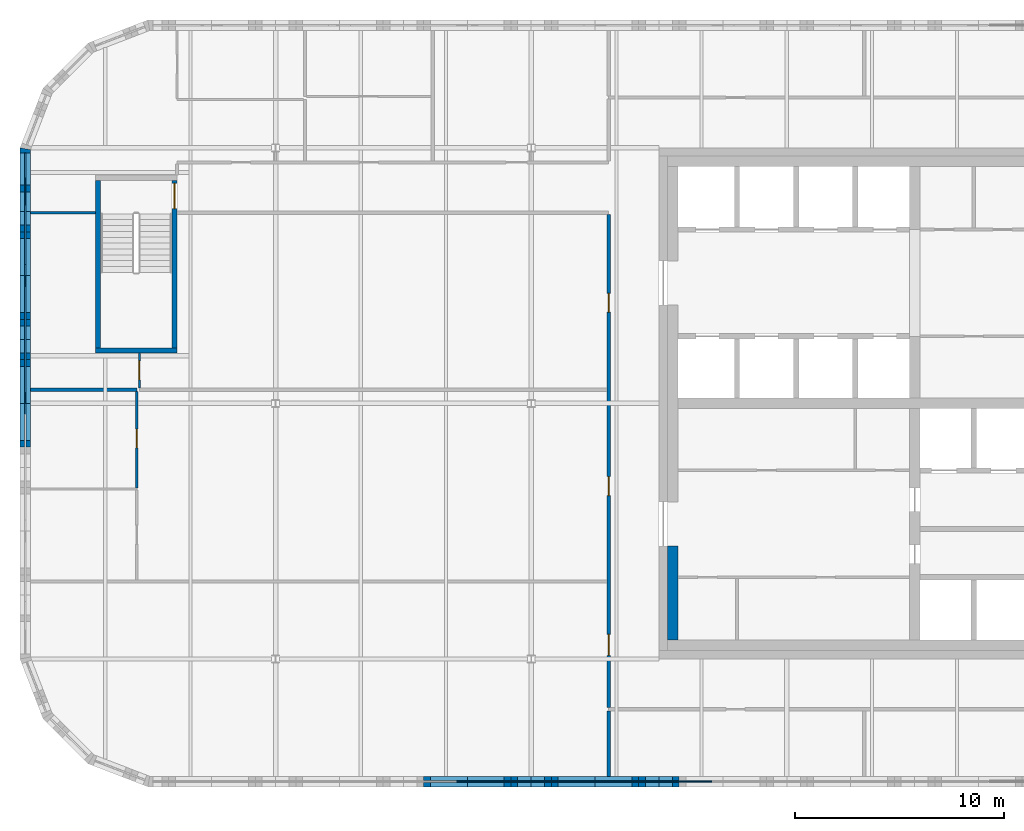
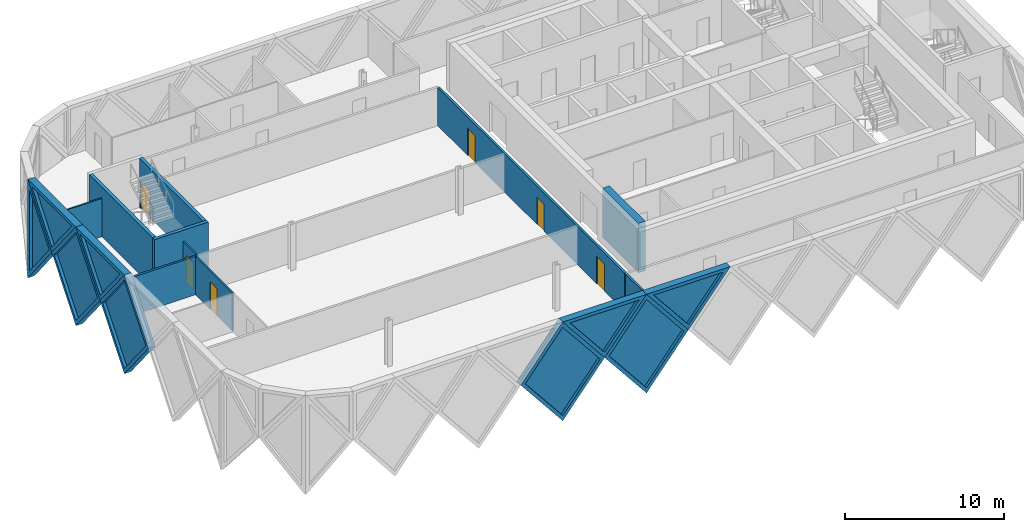
# One storey, part 4 of 12: 19 walls, 9 plates, 6 doors, 15 openings.
"""IFC4 building model written with IfcOpenShell, lengths in metres."""

from ifc_helpers import new_model, si_unit, direction, frame, frame_2d, origin, place, context, subcontext, project, spatial, polyline, rectangle, outline, extrude, faceted_brep, source, transform, mapped, material, layer, layer_set, type_object, element, fill, save


model = new_model("IFC4")

# Units and contexts
model_context = context("Model", 3, precision=1e-05, world=origin(), true_north=direction((0.0, 1.0)))
body_context = subcontext(model_context, "Body", "Model", "MODEL_VIEW")
ifc_project = project(units=[si_unit("LENGTHUNIT", "METRE"), si_unit("AREAUNIT", "SQUARE_METRE"), si_unit("VOLUMEUNIT", "CUBIC_METRE"), si_unit("PLANEANGLEUNIT", "RADIAN"), si_unit("MASSUNIT", "GRAM", prefix="KILO")], contexts=[model_context])

# Site, building, storey
site_placement = place(None, origin())
site = spatial("IfcSite", under=ifc_project, at=site_placement, CompositionType="ELEMENT")
building_placement = place(site_placement, origin())
building = spatial("IfcBuilding", under=site, at=building_placement, Name="Tessera Gate Towers", CompositionType="ELEMENT")
storey_placement = place(building_placement, frame((0.0, 0.0, 255.89990234375)))
storey = spatial("IfcBuildingStorey", under=building, at=storey_placement, Name="L64", CompositionType="ELEMENT", Elevation=255.89990234375)

# Walls
ifc_material_1 = material(Name="Concrete C40/50", Category="concrete")
ifc_layer_1 = layer(ifc_material_1, 0.25)
ifc_layer_set_1 = layer_set([ifc_layer_1], Name="CORE ENCLOSURE WALL 250")
wall_type_1 = type_object("IfcWallType", Name="CORE ENCLOSURE WALL 250", PredefinedType="SOLIDWALL", material=ifc_layer_set_1)
wall_1_placement = place(storey_placement, frame((7.5, 39.125, 0.0), z_axis=(0.0, 0.0, 1.0), x_axis=(-1.0, 0.0, 0.0)))
element("IfcWall", 1, at=wall_1_placement, inside=storey, type_object=wall_type_1, Name="L64 ST3 enclosure wall", PredefinedType="SOLIDWALL", context=body_context, shape_type="SweptSolid", body=[
    extrude(rectangle(XDim=3.89990234375, YDim=0.25, at=frame_2d((1.949951171875, 0.0))), origin(), (0.0, 0.0, 1.0), 3.800048828125),
])
wall_2_placement = place(storey_placement, frame((3.72509765625, 39.25, 0.0), z_axis=(0.0, 0.0, 1.0), x_axis=(0.0, 1.0, 0.0)))
element("IfcWall", 2, at=wall_2_placement, inside=storey, type_object=wall_type_1, Name="L64 ST3 enclosure wall", PredefinedType="SOLIDWALL", context=body_context, shape_type="SweptSolid", body=[
    extrude(rectangle(XDim=8.0, YDim=0.25, at=frame_2d((4.0, 0.0))), origin(), (0.0, 0.0, 1.0), 3.800048828125),
])

# Wall, opening, door
wall_3_placement = place(storey_placement, frame((7.375, 47.25, 0.0), z_axis=(0.0, 0.0, 1.0), x_axis=(0.0, -1.0, 0.0)))
wall_3 = element("IfcWall", 3, at=wall_3_placement, inside=storey, type_object=wall_type_1, Name="L64 ST3 enclosure wall", PredefinedType="SOLIDWALL", context=body_context, shape_type="SweptSolid", body=[
    extrude(rectangle(XDim=8.0, YDim=0.25, at=frame_2d((4.0, 0.0))), origin(), (0.0, 0.0, 1.0), 3.800048828125),
])
shared_shape_1 = source(origin(), body_context, "Body", "SweptSolid", [
    extrude(rectangle(XDim=1.199951171875, YDim=2.10009765625, at=frame_2d((0.60009765625, 1.050048828125))), frame((0.0, 0.135009765625, 0.0), z_axis=(0.0, -1.0, 0.0), x_axis=(1.0, 0.0, 0.0)), (0.0, 0.0, 1.0), 0.27001953125),
])
opening_1_placement = place(wall_3_placement, frame((0.14990234375, 0.0, 0.0)))
opening_1 = element("IfcOpeningElement", 4, at=opening_1_placement, cuts=wall_3, Name="Opening SD-ST3-1", PredefinedType="OPENING", context=body_context, shape_type="MappedRepresentation", body=[
    mapped(shared_shape_1, transform((0.0, 0.0, 0.0), scale=1.0)),
])
ifc_material_2 = material(Name="Hollow steel fire door", Category="steel")
door_type_1 = type_object("IfcDoorType", Name="CORE DOOR SD 1200x2100", OperationType="NOTDEFINED", PredefinedType="DOOR", material=ifc_material_2)
shared_shape_2 = source(origin(), body_context, "Body", "SweptSolid", [
    extrude(rectangle(XDim=1.199951171875, YDim=2.10009765625, at=frame_2d((0.60009765625, 1.050048828125))), frame((0.0, 0.02490234375, 0.0), z_axis=(0.0, -1.0, 0.0), x_axis=(1.0, 0.0, 0.0)), (0.0, 0.0, 1.0), 0.050048828125),
])
door_1_placement = place(opening_1_placement, origin())
door_1 = element("IfcDoor", 5, at=door_1_placement, inside=storey, type_object=door_type_1, Name="Stair door", OperationType="SINGLE_SWING_LEFT", OverallHeight=2.10009765625, OverallWidth=1.199951171875, PredefinedType="DOOR", context=body_context, shape_type="MappedRepresentation", body=[
    mapped(shared_shape_2, transform((0.0, 0.0, 0.0), scale=1.0)),
])
fill(opening_1, door_1)

# Wall
ifc_material_3 = material(Name="Concrete C40/50", Category="concrete")
ifc_layer_2 = layer(ifc_material_3, 0.5)
ifc_layer_set_2 = layer_set([ifc_layer_2], Name="CORE WALL THICKENING 500")
wall_type_2 = type_object("IfcWallType", Name="CORE WALL THICKENING 500", PredefinedType="SOLIDWALL", material=ifc_layer_set_2)
wall_4_placement = place(storey_placement, frame((31.14990234375, 25.300048828125, 0.0), z_axis=(0.0, 0.0, 1.0), x_axis=(0.0, 1.0, 0.0)))
element("IfcWall", 6, at=wall_4_placement, inside=storey, type_object=wall_type_2, Name="Core wall thickening W L64", PredefinedType="SOLIDWALL", context=body_context, shape_type="SweptSolid", body=[
    extrude(rectangle(XDim=4.5, YDim=0.5, at=frame_2d((2.25, 0.0))), origin(), (0.0, 0.0, 1.0), 3.800048828125),
])

# Wall, openings, doors
ifc_material_4 = material(Name="Gypsum board on steel studs, mineral wool", Category="steel")
ifc_layer_3 = layer(ifc_material_4, 0.14990234375)
ifc_layer_set_3 = layer_set([ifc_layer_3], Name="CORRIDOR WALL 150")
wall_type_3 = type_object("IfcWallType", Name="CORRIDOR WALL 150", PredefinedType="PARTITIONING", material=ifc_layer_set_3)
wall_5_placement = place(storey_placement, frame((28.10009765625, 22.075927734375, 0.0), z_axis=(0.0, 0.0, 1.0), x_axis=(0.0, 1.0, 0.0)))
wall_5 = element("IfcWall", 7, at=wall_5_placement, inside=storey, type_object=wall_type_3, Name="T1-L64-PW-005", PredefinedType="PARTITIONING", context=body_context, shape_type="SweptSolid", body=[
    extrude(rectangle(XDim=23.548095703125, YDim=0.14990234375, at=frame_2d((11.77392578125, 0.0))), origin(), (0.0, 0.0, 1.0), 2.947021484375),
])
shared_shape_3 = source(origin(), body_context, "Body", "SweptSolid", [
    extrude(rectangle(XDim=1.0, YDim=2.10009765625, at=frame_2d((0.5, 1.050048828125))), frame((0.0, 0.0849609375, 0.0), z_axis=(0.0, -1.0, 0.0), x_axis=(1.0, 0.0, 0.0)), (0.0, 0.0, 1.0), 0.169921875),
])
opening_2_placement = place(wall_5_placement, frame((2.5, 0.0, 0.0)))
opening_2 = element("IfcOpeningElement", 8, at=opening_2_placement, cuts=wall_5, Name="Opening D2100FD60-A22-01", PredefinedType="OPENING", context=body_context, shape_type="MappedRepresentation", body=[
    mapped(shared_shape_3, transform((0.0, 0.0, 0.0), scale=1.0)),
])
shared_shape_4 = source(origin(), body_context, "Body", "SweptSolid", [
    extrude(rectangle(XDim=0.89990234375, YDim=2.10009765625, at=frame_2d((0.449951171875, 1.050048828125))), frame((0.0, 0.0849609375, 0.0), z_axis=(0.0, -1.0, 0.0), x_axis=(1.0, 0.0, 0.0)), (0.0, 0.0, 1.0), 0.169921875),
])
opening_3_placement = place(wall_5_placement, frame((18.875, 0.0, 0.0)))
opening_3 = element("IfcOpeningElement", 9, at=opening_3_placement, cuts=wall_5, Name="Opening D890FD60-A22-03", PredefinedType="OPENING", context=body_context, shape_type="MappedRepresentation", body=[
    mapped(shared_shape_4, transform((0.0, 0.0, 0.0), scale=1.0)),
])
opening_4_placement = place(wall_5_placement, frame((10.1240234375, 0.0, 0.0)))
opening_4 = element("IfcOpeningElement", 10, at=opening_4_placement, cuts=wall_5, Name="Opening D890FD60-A22-05", PredefinedType="OPENING", context=body_context, shape_type="MappedRepresentation", body=[
    mapped(shared_shape_4, transform((0.0, 0.0, 0.0), scale=1.0)),
])
ifc_material_5 = material(Name="Timber door leaf in steel frame", Category="steel")
door_type_2 = type_object("IfcDoorType", Name="CORRIDOR DOOR 900 FD60", OperationType="NOTDEFINED", PredefinedType="DOOR", material=ifc_material_5)
shared_shape_5 = source(origin(), body_context, "Body", "SweptSolid", [
    extrude(rectangle(XDim=0.89990234375, YDim=2.10009765625, at=frame_2d((0.449951171875, 1.050048828125))), frame((0.0, 0.02490234375, 0.0), z_axis=(0.0, -1.0, 0.0), x_axis=(1.0, 0.0, 0.0)), (0.0, 0.0, 1.0), 0.050048828125),
])
door_2_placement = place(opening_3_placement, origin())
door_2 = element("IfcDoor", 11, at=door_2_placement, inside=storey, type_object=door_type_2, Name="T1-L64-PD-008", OperationType="SINGLE_SWING_LEFT", OverallHeight=2.10009765625, OverallWidth=0.89990234375, PredefinedType="DOOR", context=body_context, shape_type="MappedRepresentation", body=[
    mapped(shared_shape_5, transform((0.0, 0.0, 0.0), scale=1.0)),
])
fill(opening_3, door_2)
door_3_placement = place(opening_4_placement, origin())
door_3 = element("IfcDoor", 12, at=door_3_placement, inside=storey, type_object=door_type_2, Name="T1-L64-PD-011", OperationType="SINGLE_SWING_LEFT", OverallHeight=2.10009765625, OverallWidth=0.89990234375, PredefinedType="DOOR", context=body_context, shape_type="MappedRepresentation", body=[
    mapped(shared_shape_5, transform((0.0, 0.0, 0.0), scale=1.0)),
])
fill(opening_4, door_3)
ifc_material_6 = material(Name="Timber door leaf in steel frame", Category="steel")
door_type_3 = type_object("IfcDoorType", Name="TENANCY ENTRANCE DOOR 1000 FD60", OperationType="NOTDEFINED", PredefinedType="DOOR", material=ifc_material_6)
shared_shape_6 = source(origin(), body_context, "Body", "SweptSolid", [
    extrude(rectangle(XDim=1.0, YDim=2.10009765625, at=frame_2d((0.5, 1.050048828125))), frame((0.0, 0.02490234375, 0.0), z_axis=(0.0, -1.0, 0.0), x_axis=(1.0, 0.0, 0.0)), (0.0, 0.0, 1.0), 0.050048828125),
])
door_4_placement = place(opening_2_placement, origin())
door_4 = element("IfcDoor", 13, at=door_4_placement, inside=storey, type_object=door_type_3, Name="T1-L64-PD-005", OperationType="SINGLE_SWING_LEFT", OverallHeight=2.10009765625, OverallWidth=1.0, PredefinedType="DOOR", context=body_context, shape_type="MappedRepresentation", body=[
    mapped(shared_shape_6, transform((0.0, 0.0, 0.0), scale=1.0)),
])
fill(opening_2, door_4)

# Wall, opening, door
ifc_material_7 = material(Name="Glass", Category="glass")
ifc_layer_4 = layer(ifc_material_7, 0.10009765625)
ifc_layer_set_4 = layer_set([ifc_layer_4], Name="GLAZED PARTITION 100")
wall_type_4 = type_object("IfcWallType", Name="GLAZED PARTITION 100", PredefinedType="PARTITIONING", material=ifc_layer_set_4)
wall_6_placement = place(storey_placement, frame((5.699951171875, 37.325927734375, 0.0), z_axis=(0.0, 0.0, 1.0), x_axis=(0.0, 1.0, 0.0)))
wall_6 = element("IfcWall", 14, at=wall_6_placement, inside=storey, type_object=wall_type_4, Name="T1-L64-PW-013", PredefinedType="PARTITIONING", context=body_context, shape_type="SweptSolid", body=[
    extrude(rectangle(XDim=1.674072265625, YDim=0.10009765625, at=frame_2d((0.8369140625, 0.0))), origin(), (0.0, 0.0, 1.0), 2.947021484375),
])
shared_shape_7 = source(origin(), body_context, "Body", "SweptSolid", [
    extrude(rectangle(XDim=0.89990234375, YDim=2.10009765625, at=frame_2d((0.449951171875, 1.050048828125))), frame((0.0, 0.06005859375, 0.0), z_axis=(0.0, -1.0, 0.0), x_axis=(1.0, 0.0, 0.0)), (0.0, 0.0, 1.0), 0.1201171875),
])
opening_5_placement = place(wall_6_placement, frame((0.39990234375, 0.0, 0.0)))
opening_5 = element("IfcOpeningElement", 15, at=opening_5_placement, cuts=wall_6, Name="Opening D690-A22-01", PredefinedType="OPENING", context=body_context, shape_type="MappedRepresentation", body=[
    mapped(shared_shape_7, transform((0.0, 0.0, 0.0), scale=1.0)),
])
ifc_material_8 = material(Name="Glass in aluminium frame", Category="aluminium")
door_type_4 = type_object("IfcDoorType", Name="GLAZED DOOR 900 NOT RATED", OperationType="NOTDEFINED", PredefinedType="DOOR", material=ifc_material_8)
door_5_placement = place(opening_5_placement, origin())
door_5 = element("IfcDoor", 16, at=door_5_placement, inside=storey, type_object=door_type_4, Name="T1-L64-PD-001", OperationType="SINGLE_SWING_LEFT", OverallHeight=2.10009765625, OverallWidth=0.89990234375, PredefinedType="DOOR", context=body_context, shape_type="MappedRepresentation", body=[
    mapped(shared_shape_5, transform((0.0, 0.0, 0.0), scale=1.0)),
])
fill(opening_5, door_5)

# Wall
wall_7_placement = place(storey_placement, frame((0.5, 45.699951171875, 0.0), z_axis=(0.0, 0.0, 1.0), x_axis=(1.0, 0.0, 0.0)))
element("IfcWall", 17, at=wall_7_placement, inside=storey, type_object=wall_type_4, Name="T1-L64-PW-014", PredefinedType="PARTITIONING", context=body_context, shape_type="SweptSolid", body=[
    extrude(rectangle(XDim=3.10009765625, YDim=0.10009765625, at=frame_2d((1.550048828125, 0.0))), origin(), (0.0, 0.0, 1.0), 2.947021484375),
])

# Wall, opening, door
ifc_material_9 = material(Name="Gypsum board on steel studs", Category="steel")
ifc_layer_5 = layer(ifc_material_9, 0.10009765625)
ifc_layer_set_5 = layer_set([ifc_layer_5], Name="PARTITION 100")
wall_type_5 = type_object("IfcWallType", Name="PARTITION 100", PredefinedType="PARTITIONING", material=ifc_layer_set_5)
wall_8_placement = place(storey_placement, frame((5.574951171875, 32.5712890625, 0.0), z_axis=(0.0, 0.0, 1.0), x_axis=(0.0, 1.0, 0.0)))
wall_8 = element("IfcWall", 18, at=wall_8_placement, inside=storey, type_object=wall_type_5, Name="T1-L64-PW-010", PredefinedType="PARTITIONING", context=body_context, shape_type="SweptSolid", body=[
    extrude(rectangle(XDim=4.602783203125, YDim=0.10009765625, at=frame_2d((2.30126953125, 0.0))), origin(), (0.0, 0.0, 1.0), 2.947021484375),
])
opening_6_placement = place(wall_8_placement, frame((1.89990234375, 0.0, 0.0)))
opening_6 = element("IfcOpeningElement", 19, at=opening_6_placement, cuts=wall_8, Name="Opening D190-A22-02", PredefinedType="OPENING", context=body_context, shape_type="MappedRepresentation", body=[
    mapped(shared_shape_7, transform((0.0, 0.0, 0.0), scale=1.0)),
])
ifc_material_10 = material(Name="Timber door leaf in steel frame", Category="steel")
door_type_5 = type_object("IfcDoorType", Name="INTERNAL DOOR 900 NOT RATED", OperationType="NOTDEFINED", PredefinedType="DOOR", material=ifc_material_10)
door_6_placement = place(opening_6_placement, origin())
door_6 = element("IfcDoor", 20, at=door_6_placement, inside=storey, type_object=door_type_5, Name="T1-L64-PD-003", OperationType="SINGLE_SWING_LEFT", OverallHeight=2.10009765625, OverallWidth=0.89990234375, PredefinedType="DOOR", context=body_context, shape_type="MappedRepresentation", body=[
    mapped(shared_shape_5, transform((0.0, 0.0, 0.0), scale=1.0)),
])
fill(opening_6, door_6)

# Walls
ifc_material_11 = material(Name="Gypsum board on steel studs, mineral wool", Category="steel")
ifc_layer_6 = layer(ifc_material_11, 0.14990234375)
ifc_layer_set_6 = layer_set([ifc_layer_6], Name="TENANCY WALL 150")
wall_type_6 = type_object("IfcWallType", Name="TENANCY WALL 150", PredefinedType="PARTITIONING", material=ifc_layer_set_6)
wall_9_placement = place(storey_placement, frame((28.10009765625, 18.800048828125, 0.0), z_axis=(0.0, 0.0, 1.0), x_axis=(0.0, 1.0, 0.0)))
element("IfcWall", 21, at=wall_9_placement, inside=storey, type_object=wall_type_6, Name="T1-L64-PW-001", PredefinedType="PARTITIONING", context=body_context, shape_type="SweptSolid", body=[
    extrude(rectangle(XDim=3.1240234375, YDim=0.14990234375, at=frame_2d((1.56201171875, 0.0))), origin(), (0.0, 0.0, 1.0), 2.947021484375),
])
wall_10_placement = place(storey_placement, frame((0.5, 37.25, 0.0), z_axis=(0.0, 0.0, 1.0), x_axis=(1.0, 0.0, 0.0)))
element("IfcWall", 22, at=wall_10_placement, inside=storey, type_object=wall_type_6, Name="T1-L64-PW-011", PredefinedType="PARTITIONING", context=body_context, shape_type="SweptSolid", body=[
    extrude(rectangle(XDim=5.074951171875, YDim=0.14990234375, at=frame_2d((2.53759765625, 0.0))), origin(), (0.0, 0.0, 1.0), 2.947021484375),
])

# Wall, opening, plate
ifc_material_12 = material(Name="Precast concrete C60/75 white", Category="concrete")
ifc_layer_7 = layer(ifc_material_12, 0.5)
ifc_layer_set_7 = layer_set([ifc_layer_7], Name="TS3 corner tessera")
wall_type_7 = type_object("IfcWallType", Name="TS3 corner tessera", PredefinedType="SOLIDWALL", material=ifc_layer_set_7)
shared_shape_8 = source(origin(), body_context, "Body", "Brep", [
    faceted_brep([(0.046630859375, -0.25, 0.0), (3.050048828125, -0.25, 3.7998046875), (0.046630859375, -0.25, 7.599853515625), (0.0, -0.25, 7.539794921875), (0.0, -0.25, 0.06005859375), (0.09326171875, 0.25, 7.541015625), (3.050048828125, 0.25, 3.7998046875), (0.09326171875, 0.25, 0.058837890625), (0.046630859375, 0.0, 0.0), (0.046630859375, 0.0, 7.599853515625)], [[[0, 1, 2, 3, 4]], [[5, 6, 7]], [[7, 6, 1, 0, 8]], [[6, 5, 9, 2, 1]], [[3, 2, 9]], [[8, 0, 4]], [[7, 8, 4, 3, 9, 5]]]),
])
wall_11_placement = place(storey_placement, frame((0.25, 48.800048828125, -3.7998046875), z_axis=(0.0, 0.0, 1.0), x_axis=(0.0, -1.0, 0.0)))
wall_11 = element("IfcWall", 23, at=wall_11_placement, inside=storey, type_object=wall_type_7, Name="Precast corner tessera T1 TS3-1460", PredefinedType="SOLIDWALL", context=body_context, shape_type="MappedRepresentation", body=[
    mapped(shared_shape_8, transform((0.0, 0.0, 0.0), scale=1.0)),
])
shared_shape_9 = source(origin(), body_context, "Body", "SweptSolid", [
    extrude(outline(polyline([(0.24658203125, 0.656005859375), (2.7314453125, 3.7998046875), (0.24658203125, 6.943603515625), (0.24658203125, 0.656005859375)])), frame((0.0, 0.260009765625, 0.0), z_axis=(0.0, -1.0, 0.0), x_axis=(1.0, 0.0, 0.0)), (0.0, 0.0, 1.0), 0.52001953125),
])
opening_7_placement = place(wall_11_placement, origin())
opening_7 = element("IfcOpeningElement", 24, at=opening_7_placement, cuts=wall_11, Name="Opening T1-PL2-2301", PredefinedType="OPENING", context=body_context, shape_type="MappedRepresentation", body=[
    mapped(shared_shape_9, transform((0.0, 0.0, 0.0), scale=1.0)),
])
ifc_material_13 = material(Name="Low-e laminated glass", Category="glass")
ifc_layer_8 = layer(ifc_material_13, 0.06005859375)
ifc_layer_set_8 = layer_set([ifc_layer_8], Name="PL2 rhombic pane")
plate_type_1 = type_object("IfcPlateType", Name="PL2 rhombic pane", PredefinedType="SHEET", material=ifc_layer_set_8)
shared_shape_10 = source(origin(), body_context, "Body", "SweptSolid", [
    extrude(outline(polyline([(0.24658203125, 0.656005859375), (2.7314453125, 3.7998046875), (0.24658203125, 6.943603515625), (0.24658203125, 0.656005859375)])), frame((0.0, 0.030029296875, 0.0), z_axis=(0.0, -1.0, 0.0), x_axis=(1.0, 0.0, 0.0)), (0.0, 0.0, 1.0), 0.06005859375),
])
plate_1_placement = place(opening_7_placement, origin())
plate_1 = element("IfcPlate", 25, at=plate_1_placement, inside=storey, type_object=plate_type_1, Name="Glass pane T1 PL2-2301", PredefinedType="SHEET", context=body_context, shape_type="MappedRepresentation", body=[
    mapped(shared_shape_10, transform((0.0, 0.0, 0.0), scale=1.0)),
])
fill(opening_7, plate_1)

ifc_material_14 = material(Name="Precast concrete C60/75 white", Category="concrete")
ifc_layer_9 = layer(ifc_material_14, 0.5)
ifc_layer_set_9 = layer_set([ifc_layer_9], Name="TS1 tessera")
wall_type_8 = type_object("IfcWallType", Name="TS1 tessera", PredefinedType="SOLIDWALL", material=ifc_layer_set_9)
shared_shape_11 = source(origin(), body_context, "Body", "Brep", [
    faceted_brep([(3.050048828125, -0.25, 0.0), (6.099853515625, -0.25, 3.799560546875), (6.099853515625, -0.25, 3.800048828125), (3.050048828125, -0.25, 7.599853515625), (0.0, -0.25, 3.7998046875), (0.0, 0.25, 3.7998046875), (3.050048828125, 0.25, 7.599853515625), (6.099853515625, 0.25, 3.800048828125), (6.099853515625, 0.25, 3.799560546875), (3.050048828125, 0.25, 0.0)], [[[0, 1, 2, 3, 4]], [[5, 6, 7, 8, 9]], [[9, 8, 1, 0]], [[7, 6, 3, 2]], [[6, 5, 4, 3]], [[5, 9, 0, 4]], [[1, 8, 7, 2]]]),
])
wall_12_placement = place(storey_placement, frame((18.300048828125, 18.550048828125, -3.7998046875), z_axis=(0.0, 0.0, 1.0), x_axis=(1.0, 0.0, 0.0)))
wall_12 = element("IfcWall", 26, at=wall_12_placement, inside=storey, type_object=wall_type_8, Name="Precast tessera T1 TS1-1125", PredefinedType="SOLIDWALL", context=body_context, shape_type="MappedRepresentation", body=[
    mapped(shared_shape_11, transform((0.0, 0.0, 0.0), scale=1.0)),
])
shared_shape_12 = source(origin(), body_context, "Body", "SweptSolid", [
    extrude(outline(polyline([(3.050048828125, 0.3994140625), (5.779541015625, 3.7998046875), (3.050048828125, 7.200439453125), (0.320556640625, 3.7998046875), (3.050048828125, 0.3994140625)])), frame((0.0, 0.260009765625, 0.0), z_axis=(0.0, -1.0, 0.0), x_axis=(1.0, 0.0, 0.0)), (0.0, 0.0, 1.0), 0.52001953125),
])
opening_8_placement = place(wall_12_placement, origin())
opening_8 = element("IfcOpeningElement", 27, at=opening_8_placement, cuts=wall_12, Name="Opening T1-PL2-2273", PredefinedType="OPENING", context=body_context, shape_type="MappedRepresentation", body=[
    mapped(shared_shape_12, transform((0.0, 0.0, 0.0), scale=1.0)),
])
shared_shape_13 = source(origin(), body_context, "Body", "SweptSolid", [
    extrude(outline(polyline([(3.050048828125, 0.3994140625), (5.779541015625, 3.7998046875), (3.050048828125, 7.200439453125), (0.320556640625, 3.7998046875), (3.050048828125, 0.3994140625)])), frame((0.0, 0.030029296875, 0.0), z_axis=(0.0, -1.0, 0.0), x_axis=(1.0, 0.0, 0.0)), (0.0, 0.0, 1.0), 0.06005859375),
])
plate_2_placement = place(opening_8_placement, origin())
plate_2 = element("IfcPlate", 28, at=plate_2_placement, inside=storey, type_object=plate_type_1, Name="Glass pane T1 PL2-2273", PredefinedType="SHEET", context=body_context, shape_type="MappedRepresentation", body=[
    mapped(shared_shape_13, transform((0.0, 0.0, 0.0), scale=1.0)),
])
fill(opening_8, plate_2)

wall_13_placement = place(storey_placement, frame((0.25, 39.64990234375, -3.7998046875), z_axis=(0.0, 0.0, 1.0), x_axis=(0.0, -1.0, 0.0)))
wall_13 = element("IfcWall", 29, at=wall_13_placement, inside=storey, type_object=wall_type_8, Name="Precast tessera T1 TS1-1143", PredefinedType="SOLIDWALL", context=body_context, shape_type="MappedRepresentation", body=[
    mapped(shared_shape_11, transform((0.0, 0.0, 0.0), scale=1.0)),
])
opening_9_placement = place(wall_13_placement, origin())
opening_9 = element("IfcOpeningElement", 30, at=opening_9_placement, cuts=wall_13, Name="Opening T1-PL2-2303", PredefinedType="OPENING", context=body_context, shape_type="MappedRepresentation", body=[
    mapped(shared_shape_12, transform((0.0, 0.0, 0.0), scale=1.0)),
])
plate_3_placement = place(opening_9_placement, origin())
plate_3 = element("IfcPlate", 31, at=plate_3_placement, inside=storey, type_object=plate_type_1, Name="Glass pane T1 PL2-2303", PredefinedType="SHEET", context=body_context, shape_type="MappedRepresentation", body=[
    mapped(shared_shape_13, transform((0.0, 0.0, 0.0), scale=1.0)),
])
fill(opening_9, plate_3)

shared_shape_14 = source(origin(), body_context, "Body", "SweptSolid", [
    extrude(outline(polyline([(3.050048828125, 0.0), (6.10009765625, 3.7998046875), (3.050048828125, 7.599853515625), (0.0, 3.7998046875), (3.050048828125, 0.0)])), frame((0.0, 0.25, 0.0), z_axis=(0.0, -1.0, 0.0), x_axis=(1.0, 0.0, 0.0)), (0.0, 0.0, 1.0), 0.5),
])
wall_14_placement = place(storey_placement, frame((24.39990234375, 18.550048828125, -3.7998046875), z_axis=(0.0, 0.0, 1.0), x_axis=(1.0, 0.0, 0.0)))
wall_14 = element("IfcWall", 32, at=wall_14_placement, inside=storey, type_object=wall_type_8, Name="Precast tessera T1 TS1-1126", PredefinedType="SOLIDWALL", context=body_context, shape_type="MappedRepresentation", body=[
    mapped(shared_shape_14, transform((0.0, 0.0, 0.0), scale=1.0)),
])
opening_10_placement = place(wall_14_placement, origin())
opening_10 = element("IfcOpeningElement", 33, at=opening_10_placement, cuts=wall_14, Name="Opening T1-PL2-2274", PredefinedType="OPENING", context=body_context, shape_type="MappedRepresentation", body=[
    mapped(shared_shape_12, transform((0.0, 0.0, 0.0), scale=1.0)),
])
plate_4_placement = place(opening_10_placement, origin())
plate_4 = element("IfcPlate", 34, at=plate_4_placement, inside=storey, type_object=plate_type_1, Name="Glass pane T1 PL2-2274", PredefinedType="SHEET", context=body_context, shape_type="MappedRepresentation", body=[
    mapped(shared_shape_13, transform((0.0, 0.0, 0.0), scale=1.0)),
])
fill(opening_10, plate_4)

wall_15_placement = place(storey_placement, frame((0.25, 45.75, -3.7998046875), z_axis=(0.0, 0.0, 1.0), x_axis=(0.0, -1.0, 0.0)))
wall_15 = element("IfcWall", 35, at=wall_15_placement, inside=storey, type_object=wall_type_8, Name="Precast tessera T1 TS1-1142", PredefinedType="SOLIDWALL", context=body_context, shape_type="MappedRepresentation", body=[
    mapped(shared_shape_14, transform((0.0, 0.0, 0.0), scale=1.0)),
])
opening_11_placement = place(wall_15_placement, origin())
opening_11 = element("IfcOpeningElement", 36, at=opening_11_placement, cuts=wall_15, Name="Opening T1-PL2-2302", PredefinedType="OPENING", context=body_context, shape_type="MappedRepresentation", body=[
    mapped(shared_shape_12, transform((0.0, 0.0, 0.0), scale=1.0)),
])
plate_5_placement = place(opening_11_placement, origin())
plate_5 = element("IfcPlate", 37, at=plate_5_placement, inside=storey, type_object=plate_type_1, Name="Glass pane T1 PL2-2302", PredefinedType="SHEET", context=body_context, shape_type="MappedRepresentation", body=[
    mapped(shared_shape_13, transform((0.0, 0.0, 0.0), scale=1.0)),
])
fill(opening_11, plate_5)

ifc_material_15 = material(Name="Precast concrete C60/75 white", Category="concrete")
ifc_layer_10 = layer(ifc_material_15, 0.5)
ifc_layer_set_10 = layer_set([ifc_layer_10], Name="TS2 half tessera")
wall_type_9 = type_object("IfcWallType", Name="TS2 half tessera", PredefinedType="SOLIDWALL", material=ifc_layer_set_10)
shared_shape_15 = source(origin(), body_context, "Body", "Brep", [
    faceted_brep([(3.050048828125, -0.25, 0.0), (6.099853515625, -0.25, 3.7998046875), (6.099853515625, -0.25, 3.800048828125), (0.0, -0.25, 3.800048828125), (0.0, 0.25, 3.800048828125), (6.099853515625, 0.25, 3.800048828125), (6.099853515625, 0.25, 3.7998046875), (3.050048828125, 0.25, 0.0)], [[[0, 1, 2, 3]], [[4, 5, 6, 7]], [[7, 6, 1, 0]], [[5, 4, 3, 2]], [[4, 7, 0, 3]], [[1, 6, 5, 2]]]),
])
wall_16_placement = place(storey_placement, frame((21.35009765625, 18.550048828125, 0.0), z_axis=(0.0, 0.0, 1.0), x_axis=(1.0, 0.0, 0.0)))
wall_16 = element("IfcWall", 38, at=wall_16_placement, inside=storey, type_object=wall_type_9, Name="Precast half tessera T1 TS2-0300", PredefinedType="SOLIDWALL", context=body_context, shape_type="MappedRepresentation", body=[
    mapped(shared_shape_15, transform((0.0, 0.0, 0.0), scale=1.0)),
])
shared_shape_16 = source(origin(), body_context, "Body", "SweptSolid", [
    extrude(outline(polyline([(3.050048828125, 0.3994140625), (5.578857421875, 3.550048828125), (0.521240234375, 3.550048828125), (3.050048828125, 0.3994140625)])), frame((0.0, 0.260009765625, 0.0), z_axis=(0.0, -1.0, 0.0), x_axis=(1.0, 0.0, 0.0)), (0.0, 0.0, 1.0), 0.52001953125),
])
opening_12_placement = place(wall_16_placement, origin())
opening_12 = element("IfcOpeningElement", 39, at=opening_12_placement, cuts=wall_16, Name="Opening T1-PL1-0612", PredefinedType="OPENING", context=body_context, shape_type="MappedRepresentation", body=[
    mapped(shared_shape_16, transform((0.0, 0.0, 0.0), scale=1.0)),
])
ifc_material_16 = material(Name="Low-e laminated glass", Category="glass")
ifc_layer_11 = layer(ifc_material_16, 0.06005859375)
ifc_layer_set_11 = layer_set([ifc_layer_11], Name="PL1 triangular pane")
plate_type_2 = type_object("IfcPlateType", Name="PL1 triangular pane", PredefinedType="SHEET", material=ifc_layer_set_11)
shared_shape_17 = source(origin(), body_context, "Body", "SweptSolid", [
    extrude(outline(polyline([(3.050048828125, 0.3994140625), (5.578857421875, 3.550048828125), (0.521240234375, 3.550048828125), (3.050048828125, 0.3994140625)])), frame((0.0, 0.030029296875, 0.0), z_axis=(0.0, -1.0, 0.0), x_axis=(1.0, 0.0, 0.0)), (0.0, 0.0, 1.0), 0.06005859375),
])
plate_6_placement = place(opening_12_placement, origin())
plate_6 = element("IfcPlate", 40, at=plate_6_placement, inside=storey, type_object=plate_type_2, Name="Glass pane T1 PL1-0612", PredefinedType="SHEET", context=body_context, shape_type="MappedRepresentation", body=[
    mapped(shared_shape_17, transform((0.0, 0.0, 0.0), scale=1.0)),
])
fill(opening_12, plate_6)

wall_17_placement = place(storey_placement, frame((0.25, 42.699951171875, 0.0), z_axis=(0.0, 0.0, 1.0), x_axis=(0.0, -1.0, 0.0)))
wall_17 = element("IfcWall", 41, at=wall_17_placement, inside=storey, type_object=wall_type_9, Name="Precast half tessera T1 TS2-0317", PredefinedType="SOLIDWALL", context=body_context, shape_type="MappedRepresentation", body=[
    mapped(shared_shape_15, transform((0.0, 0.0, 0.0), scale=1.0)),
])
opening_13_placement = place(wall_17_placement, origin())
opening_13 = element("IfcOpeningElement", 42, at=opening_13_placement, cuts=wall_17, Name="Opening T1-PL1-0641", PredefinedType="OPENING", context=body_context, shape_type="MappedRepresentation", body=[
    mapped(shared_shape_16, transform((0.0, 0.0, 0.0), scale=1.0)),
])
plate_7_placement = place(opening_13_placement, origin())
plate_7 = element("IfcPlate", 43, at=plate_7_placement, inside=storey, type_object=plate_type_2, Name="Glass pane T1 PL1-0641", PredefinedType="SHEET", context=body_context, shape_type="MappedRepresentation", body=[
    mapped(shared_shape_17, transform((0.0, 0.0, 0.0), scale=1.0)),
])
fill(opening_13, plate_7)

shared_shape_18 = source(origin(), body_context, "Body", "SweptSolid", [
    extrude(outline(polyline([(3.050048828125, 0.0), (6.10009765625, 3.800048828125), (0.0, 3.800048828125), (3.050048828125, 0.0)])), frame((0.0, 0.25, 0.0), z_axis=(0.0, -1.0, 0.0), x_axis=(1.0, 0.0, 0.0)), (0.0, 0.0, 1.0), 0.5),
])
wall_18_placement = place(storey_placement, frame((27.449951171875, 18.550048828125, 0.0), z_axis=(0.0, 0.0, 1.0), x_axis=(1.0, 0.0, 0.0)))
wall_18 = element("IfcWall", 44, at=wall_18_placement, inside=storey, type_object=wall_type_9, Name="Precast half tessera T1 TS2-0301", PredefinedType="SOLIDWALL", context=body_context, shape_type="MappedRepresentation", body=[
    mapped(shared_shape_18, transform((0.0, 0.0, 0.0), scale=1.0)),
])
opening_14_placement = place(wall_18_placement, origin())
opening_14 = element("IfcOpeningElement", 45, at=opening_14_placement, cuts=wall_18, Name="Opening T1-PL1-0613", PredefinedType="OPENING", context=body_context, shape_type="MappedRepresentation", body=[
    mapped(shared_shape_16, transform((0.0, 0.0, 0.0), scale=1.0)),
])
plate_8_placement = place(opening_14_placement, origin())
plate_8 = element("IfcPlate", 46, at=plate_8_placement, inside=storey, type_object=plate_type_2, Name="Glass pane T1 PL1-0613", PredefinedType="SHEET", context=body_context, shape_type="MappedRepresentation", body=[
    mapped(shared_shape_17, transform((0.0, 0.0, 0.0), scale=1.0)),
])
fill(opening_14, plate_8)

shared_shape_19 = source(origin(), body_context, "Body", "Brep", [
    faceted_brep([(3.00341796875, -0.25, 0.0), (6.053466796875, -0.25, 3.800048828125), (0.0, -0.25, 3.800048828125), (0.046630859375, 0.25, 3.800048828125), (6.053466796875, 0.25, 3.800048828125), (3.00341796875, 0.25, 0.0), (0.046630859375, 0.25, 3.7412109375), (0.0, 0.0, 3.800048828125)], [[[0, 1, 2]], [[3, 4, 5, 6]], [[5, 4, 1, 0]], [[4, 3, 7, 2, 1]], [[6, 5, 0, 2, 7]], [[6, 7, 3]]]),
])
wall_19_placement = place(storey_placement, frame((0.25, 48.75341796875, 0.0), z_axis=(0.0, 0.0, 1.0), x_axis=(0.0, -1.0, 0.0)))
wall_19 = element("IfcWall", 47, at=wall_19_placement, inside=storey, type_object=wall_type_9, Name="Precast half tessera T1 TS2-0316", PredefinedType="SOLIDWALL", context=body_context, shape_type="MappedRepresentation", body=[
    mapped(shared_shape_19, transform((0.0, 0.0, 0.0), scale=1.0)),
])
shared_shape_20 = source(origin(), body_context, "Body", "SweptSolid", [
    extrude(outline(polyline([(3.0048828125, 0.4013671875), (5.5322265625, 3.550048828125), (0.516357421875, 3.550048828125), (3.0048828125, 0.4013671875)])), frame((0.0, 0.260009765625, 0.0), z_axis=(0.0, -1.0, 0.0), x_axis=(1.0, 0.0, 0.0)), (0.0, 0.0, 1.0), 0.52001953125),
])
opening_15_placement = place(wall_19_placement, origin())
opening_15 = element("IfcOpeningElement", 48, at=opening_15_placement, cuts=wall_19, Name="Opening T1-PL1-0640", PredefinedType="OPENING", context=body_context, shape_type="MappedRepresentation", body=[
    mapped(shared_shape_20, transform((0.0, 0.0, 0.0), scale=1.0)),
])
shared_shape_21 = source(origin(), body_context, "Body", "SweptSolid", [
    extrude(outline(polyline([(3.0048828125, 0.4013671875), (5.5322265625, 3.550048828125), (0.516357421875, 3.550048828125), (3.0048828125, 0.4013671875)])), frame((0.0, 0.030029296875, 0.0), z_axis=(0.0, -1.0, 0.0), x_axis=(1.0, 0.0, 0.0)), (0.0, 0.0, 1.0), 0.06005859375),
])
plate_9_placement = place(opening_15_placement, origin())
plate_9 = element("IfcPlate", 49, at=plate_9_placement, inside=storey, type_object=plate_type_2, Name="Glass pane T1 PL1-0640", PredefinedType="SHEET", context=body_context, shape_type="MappedRepresentation", body=[
    mapped(shared_shape_21, transform((0.0, 0.0, 0.0), scale=1.0)),
])
fill(opening_15, plate_9)

save(model, "model.ifc")
